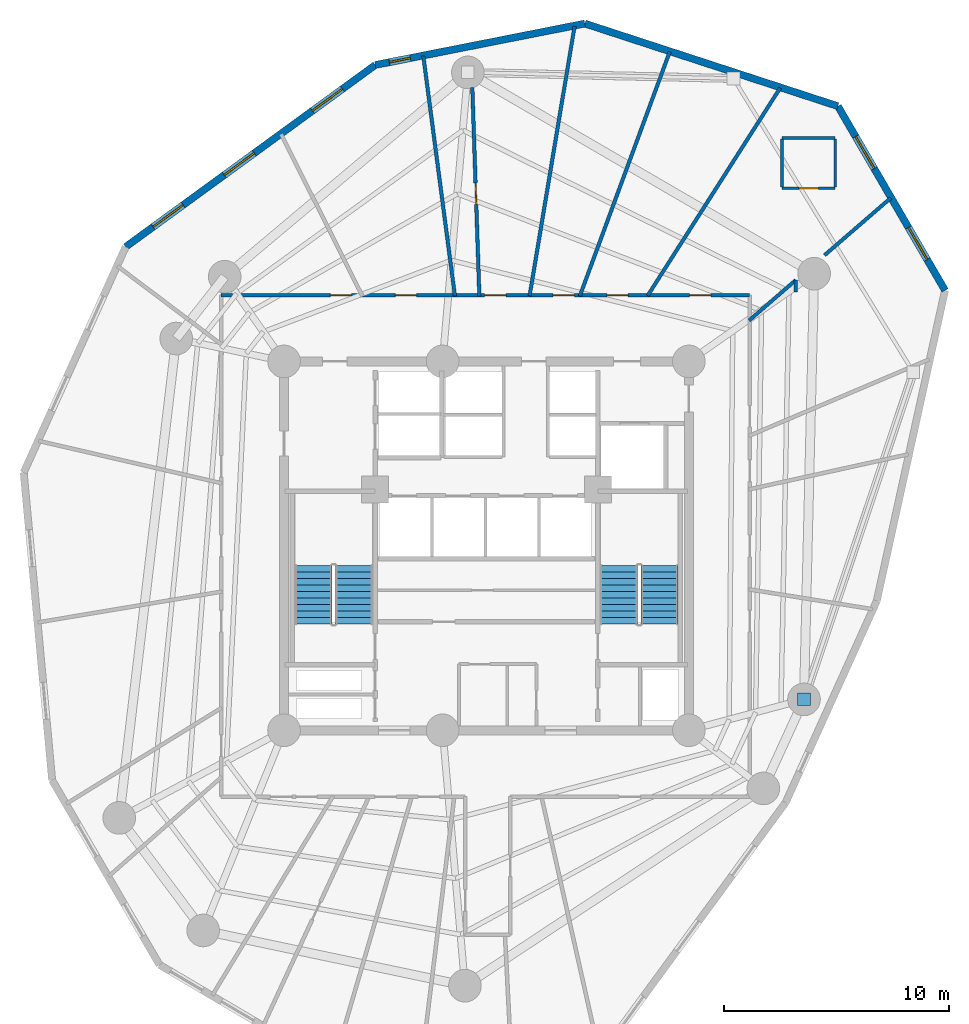
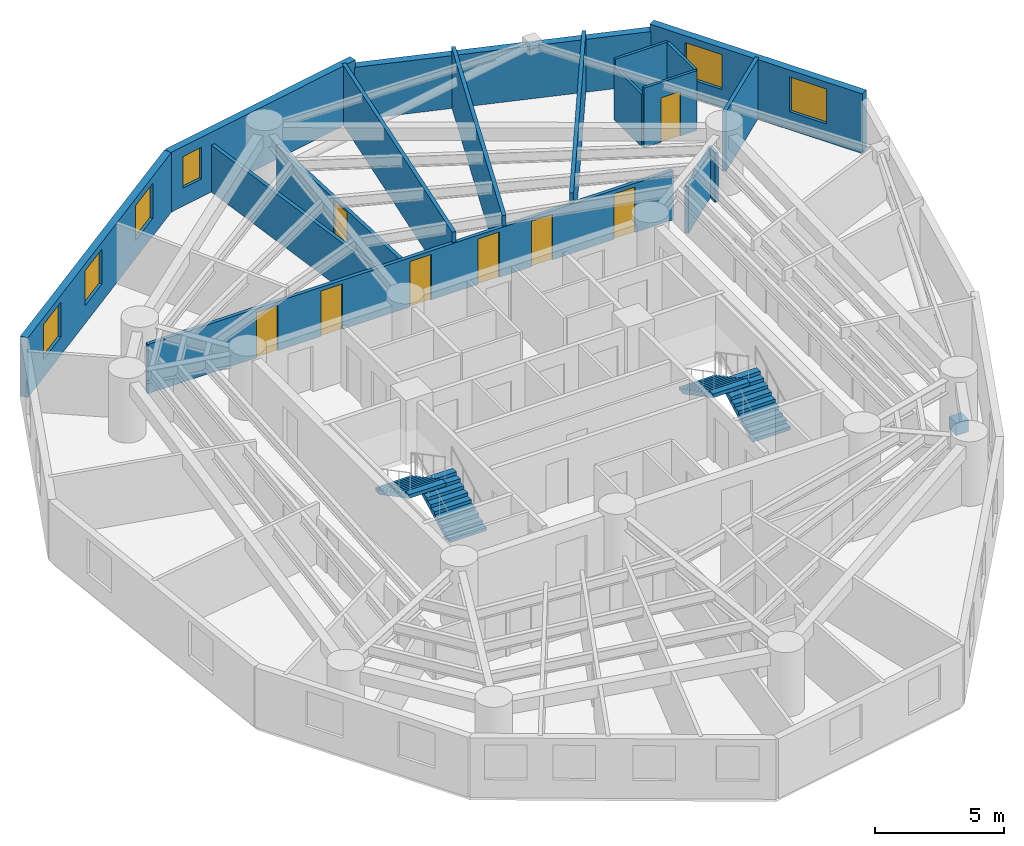
# One storey, part 6 of 8: 17 walls, 8 doors, 6 windows, 4 stair flights, 1 discrete accessory, 14 openings, 2 elements without a shape of their own.
"""IFC4 building model written with IfcOpenShell, lengths in metres."""

from ifc_helpers import new_model, si_unit, direction, frame, frame_2d, origin, origin_with_axes, origin_2d, place, context, subcontext, project, spatial, polyline, rectangle, outline, extrude, source, transform, mapped, material, layer, layer_set, type_object, element, fill, aggregate, save


model = new_model("IFC4")

# Units and contexts
model_context = context("Model", 3, precision=1e-05, world=origin(), true_north=direction((0.0, 1.0)))
body_context = subcontext(model_context, "Body", "Model", "MODEL_VIEW")
ifc_project = project(units=[si_unit("LENGTHUNIT", "METRE"), si_unit("AREAUNIT", "SQUARE_METRE"), si_unit("VOLUMEUNIT", "CUBIC_METRE"), si_unit("PLANEANGLEUNIT", "RADIAN"), si_unit("MASSUNIT", "GRAM", prefix="KILO")], contexts=[model_context])

# Site, building, storey
site_placement = place(None, origin())
site = spatial("IfcSite", under=ifc_project, at=site_placement, CompositionType="ELEMENT")
building_placement = place(site_placement, origin())
building = spatial("IfcBuilding", under=site, at=building_placement, Name="Karkom Vertical University and Central Library", CompositionType="ELEMENT")
storey_placement = place(building_placement, frame((0.0, 0.0, 126.699951171875)))
storey = spatial("IfcBuildingStorey", under=building, at=storey_placement, Name="L35", CompositionType="ELEMENT", Elevation=126.699951171875)

# Wall, openings, windows
ifc_material_1 = material(Name="Brick-faced precast concrete C45/55", Category="masonry")
ifc_layer_1 = layer(ifc_material_1, 0.320068359375)
ifc_layer_set_1 = layer_set([ifc_layer_1], Name="Brick-faced precast concrete C45/55")
wall_type_1 = type_object("IfcWallType", Name="ENV-WL-BRK-320", PredefinedType="SOLIDWALL", material=ifc_layer_set_1)
wall_1_placement = place(storey_placement, frame((48.894775390625, 37.857421875, 0.0), z_axis=(0.0, 0.0, 1.0), x_axis=(-0.502778471168, 0.864415298875, 0.0)))
wall_1 = element("IfcWall", 1, at=wall_1_placement, inside=storey, type_object=wall_type_1, Name="Level 35 Brick-Faced Precast Facade Wall 09", PredefinedType="SOLIDWALL", context=body_context, shape_type="SweptSolid", body=[
    extrude(rectangle(XDim=9.47900390625, YDim=0.320068359375, at=frame_2d((4.739501953125, 0.0))), origin(), (0.0, 0.0, 1.0), 2.824951171875),
])
opening_1_placement = place(wall_1_placement, frame((1.586181640625, 0.0, 0.85009765625)))
opening_1 = element("IfcOpeningElement", 2, at=opening_1_placement, cuts=wall_1, Name="Opening WN-06", PredefinedType="OPENING", context=body_context, shape_type="SweptSolid", body=[
    extrude(rectangle(XDim=1.64990234375, YDim=1.64990234375, at=frame_2d((0.824951171875, 0.824951171875))), frame((0.0, 0.169921875, 0.0), z_axis=(0.0, -1.0, 0.0), x_axis=(1.0, 0.0, 0.0)), (0.0, 0.0, 1.0), 0.340087890625),
])
opening_2_placement = place(wall_1_placement, frame((6.265625, 0.0, 0.85009765625)))
opening_2 = element("IfcOpeningElement", 3, at=opening_2_placement, cuts=wall_1, Name="Opening WN-06", PredefinedType="OPENING", context=body_context, shape_type="SweptSolid", body=[
    extrude(rectangle(XDim=1.64990234375, YDim=1.64990234375, at=frame_2d((0.824951171875, 0.824951171875))), frame((0.0, 0.169921875, 0.0), z_axis=(0.0, -1.0, 0.0), x_axis=(1.0, 0.0, 0.0)), (0.0, 0.0, 1.0), 0.340087890625),
])
ifc_material_2 = material(Name="Aluminium thermal-break frame with solar-control IGU", Category="aluminium")
window_type_1 = type_object("IfcWindowType", Name="ENV-WIN-WN-06", PartitioningType="SINGLE_PANEL", PredefinedType="WINDOW", material=ifc_material_2)
shared_shape_1 = source(origin_with_axes(), body_context, "Body", "SweptSolid", [
    extrude(rectangle(XDim=1.64990234375, YDim=1.64990234375, at=frame_2d((0.824951171875, 0.824951171875))), frame((0.0, 0.030029296875, 0.0), z_axis=(0.0, -1.0, 0.0), x_axis=(1.0, 0.0, 0.0)), (0.0, 0.0, 1.0), 0.06005859375),
])
window_1_placement = place(opening_1_placement, origin())
window_1 = element("IfcWindow", 4, at=window_1_placement, inside=storey, type_object=window_type_1, Name="Level 35 Punched Window 9.1", OverallHeight=1.64990234375, OverallWidth=1.64990234375, PartitioningType="SINGLE_PANEL", PredefinedType="WINDOW", context=body_context, shape_type="MappedRepresentation", body=[
    mapped(shared_shape_1, transform((0.0, 0.0, 0.0), scale=1.0)),
])
fill(opening_1, window_1)
window_2_placement = place(opening_2_placement, origin())
window_2 = element("IfcWindow", 5, at=window_2_placement, inside=storey, type_object=window_type_1, Name="Level 35 Punched Window 9.2", OverallHeight=1.64990234375, OverallWidth=1.64990234375, PartitioningType="SINGLE_PANEL", PredefinedType="WINDOW", context=body_context, shape_type="MappedRepresentation", body=[
    mapped(shared_shape_1, transform((0.0, 0.0, 0.0), scale=1.0)),
])
fill(opening_2, window_2)

# Wall
wall_2_placement = place(storey_placement, frame((44.12890625, 46.05126953125, 0.0), z_axis=(0.0, 0.0, 1.0), x_axis=(-0.950636500085, 0.310306694587, 0.0)))
element("IfcWall", 6, at=wall_2_placement, inside=storey, type_object=wall_type_1, Name="Level 35 Brick-Faced Precast Facade Wall 10", PredefinedType="SOLIDWALL", context=body_context, shape_type="SweptSolid", body=[
    extrude(rectangle(XDim=11.837890625, YDim=0.320068359375, at=frame_2d((5.9189453125, 0.0))), origin(), (0.0, 0.0, 1.0), 2.4951171875),
])

# Wall, opening, window
wall_3_placement = place(storey_placement, frame((32.87548828125, 49.724609375, 0.0), z_axis=(0.0, 0.0, 1.0), x_axis=(-0.981028839797, -0.193861846391, 0.0)))
wall_3 = element("IfcWall", 7, at=wall_3_placement, inside=storey, type_object=wall_type_1, Name="Level 35 Brick-Faced Precast Facade Wall 11", PredefinedType="SOLIDWALL", context=body_context, shape_type="SweptSolid", body=[
    extrude(rectangle(XDim=9.499267578125, YDim=0.320068359375, at=frame_2d((4.74951171875, 0.0))), origin(), (0.0, 0.0, 1.0), 2.824951171875),
])
opening_3_placement = place(wall_3_placement, frame((7.908935546875, 0.0, 0.85009765625)))
opening_3 = element("IfcOpeningElement", 8, at=opening_3_placement, cuts=wall_3, Name="Opening WN-12", PredefinedType="OPENING", context=body_context, shape_type="SweptSolid", body=[
    extrude(rectangle(XDim=0.949951171875, YDim=1.5, at=frame_2d((0.47509765625, 0.75))), frame((0.0, 0.169921875, 0.0), z_axis=(0.0, -1.0, 0.0), x_axis=(1.0, 0.0, 0.0)), (0.0, 0.0, 1.0), 0.340087890625),
])
window_type_2 = type_object("IfcWindowType", Name="ENV-WIN-WN-12", PartitioningType="SINGLE_PANEL", PredefinedType="WINDOW", material=ifc_material_2)
shared_shape_2 = source(origin_with_axes(), body_context, "Body", "SweptSolid", [
    extrude(rectangle(XDim=0.949951171875, YDim=1.5, at=frame_2d((0.47509765625, 0.75))), frame((0.0, 0.030029296875, 0.0), z_axis=(0.0, -1.0, 0.0), x_axis=(1.0, 0.0, 0.0)), (0.0, 0.0, 1.0), 0.06005859375),
])
window_3_placement = place(opening_3_placement, origin())
window_3 = element("IfcWindow", 9, at=window_3_placement, inside=storey, type_object=window_type_2, Name="Level 35 Punched Window 11.1", OverallHeight=1.5, OverallWidth=0.949951171875, PartitioningType="SINGLE_PANEL", PredefinedType="WINDOW", context=body_context, shape_type="MappedRepresentation", body=[
    mapped(shared_shape_2, transform((0.0, 0.0, 0.0), scale=1.0)),
])
fill(opening_3, window_3)

# Wall, openings, windows
wall_4_placement = place(storey_placement, frame((23.556396484375, 47.883056640625, 0.0), z_axis=(0.0, 0.0, 1.0), x_axis=(-0.808218614435, -0.588882561536, 0.0)))
wall_4 = element("IfcWall", 10, at=wall_4_placement, inside=storey, type_object=wall_type_1, Name="Level 35 Brick-Faced Precast Facade Wall 12", PredefinedType="SOLIDWALL", context=body_context, shape_type="SweptSolid", body=[
    extrude(rectangle(XDim=13.73876953125, YDim=0.320068359375, at=frame_2d((6.869384765625, 0.0))), origin(), (0.0, 0.0, 1.0), 2.824951171875),
])
opening_4_placement = place(wall_4_placement, frame((1.8076171875, 0.0, 0.85009765625)))
opening_4 = element("IfcOpeningElement", 11, at=opening_4_placement, cuts=wall_4, Name="Opening WN-06", PredefinedType="OPENING", context=body_context, shape_type="SweptSolid", body=[
    extrude(rectangle(XDim=1.64990234375, YDim=1.64990234375, at=frame_2d((0.824951171875, 0.824951171875))), frame((0.0, 0.169921875, 0.0), z_axis=(0.0, -1.0, 0.0), x_axis=(1.0, 0.0, 0.0)), (0.0, 0.0, 1.0), 0.340087890625),
])
opening_5_placement = place(wall_4_placement, frame((6.65869140625, 0.0, 0.85009765625)))
opening_5 = element("IfcOpeningElement", 12, at=opening_5_placement, cuts=wall_4, Name="Opening WN-06", PredefinedType="OPENING", context=body_context, shape_type="SweptSolid", body=[
    extrude(rectangle(XDim=1.64990234375, YDim=1.64990234375, at=frame_2d((0.824951171875, 0.824951171875))), frame((0.0, 0.169921875, 0.0), z_axis=(0.0, -1.0, 0.0), x_axis=(1.0, 0.0, 0.0)), (0.0, 0.0, 1.0), 0.340087890625),
])
opening_6_placement = place(wall_4_placement, frame((10.575439453125, 0.0, 0.85009765625)))
opening_6 = element("IfcOpeningElement", 13, at=opening_6_placement, cuts=wall_4, Name="Opening WN-06", PredefinedType="OPENING", context=body_context, shape_type="SweptSolid", body=[
    extrude(rectangle(XDim=1.64990234375, YDim=1.64990234375, at=frame_2d((0.824951171875, 0.824951171875))), frame((0.0, 0.169921875, 0.0), z_axis=(0.0, -1.0, 0.0), x_axis=(1.0, 0.0, 0.0)), (0.0, 0.0, 1.0), 0.340087890625),
])
window_4_placement = place(opening_4_placement, origin())
window_4 = element("IfcWindow", 14, at=window_4_placement, inside=storey, type_object=window_type_1, Name="Level 35 Punched Window 12.1", OverallHeight=1.64990234375, OverallWidth=1.64990234375, PartitioningType="SINGLE_PANEL", PredefinedType="WINDOW", context=body_context, shape_type="MappedRepresentation", body=[
    mapped(shared_shape_1, transform((0.0, 0.0, 0.0), scale=1.0)),
])
fill(opening_4, window_4)
window_5_placement = place(opening_5_placement, origin())
window_5 = element("IfcWindow", 15, at=window_5_placement, inside=storey, type_object=window_type_1, Name="Level 35 Punched Window 12.2", OverallHeight=1.64990234375, OverallWidth=1.64990234375, PartitioningType="SINGLE_PANEL", PredefinedType="WINDOW", context=body_context, shape_type="MappedRepresentation", body=[
    mapped(shared_shape_1, transform((0.0, 0.0, 0.0), scale=1.0)),
])
fill(opening_5, window_5)
window_6_placement = place(opening_6_placement, origin())
window_6 = element("IfcWindow", 16, at=window_6_placement, inside=storey, type_object=window_type_1, Name="Level 35 Punched Window 12.3", OverallHeight=1.64990234375, OverallWidth=1.64990234375, PartitioningType="SINGLE_PANEL", PredefinedType="WINDOW", context=body_context, shape_type="MappedRepresentation", body=[
    mapped(shared_shape_1, transform((0.0, 0.0, 0.0), scale=1.0)),
])
fill(opening_6, window_6)

# Wall, openings, doors
ifc_material_3 = material(Name="Insulated metal-stud drywall 160mm", Category="gypsum")
ifc_layer_2 = layer(ifc_material_3, 0.159912109375)
ifc_layer_set_2 = layer_set([ifc_layer_2], Name="Insulated metal-stud drywall 160mm")
wall_type_2 = type_object("IfcWallType", Name="INT-WL-COR-160", PredefinedType="PARTITIONING", material=ifc_layer_set_2)
wall_5_placement = place(storey_placement, frame((16.699951171875, 37.64990234375, 0.0), z_axis=(0.0, 0.0, 1.0), x_axis=(1.0, 0.0, 0.0)))
wall_5 = element("IfcWall", 17, at=wall_5_placement, inside=storey, type_object=wall_type_2, Name="Level 35 Interior Partition Wall L35-CORW-CW-003", PredefinedType="PARTITIONING", context=body_context, shape_type="SweptSolid", body=[
    extrude(rectangle(XDim=23.5, YDim=0.159912109375, at=frame_2d((11.75, 0.0))), origin(), (0.0, 0.0, 1.0), 2.324951171875),
])
opening_7_placement = place(wall_5_placement, frame((20.832763671875, 0.0, 0.0)))
opening_7 = element("IfcOpeningElement", 18, at=opening_7_placement, cuts=wall_5, Name="Opening D-RM1", PredefinedType="OPENING", context=body_context, shape_type="SweptSolid", body=[
    extrude(rectangle(XDim=0.949951171875, YDim=2.14990234375, at=frame_2d((0.47509765625, 1.074951171875))), frame((0.0, 0.08984375, 0.0), z_axis=(0.0, -1.0, 0.0), x_axis=(1.0, 0.0, 0.0)), (0.0, 0.0, 1.0), 0.179931640625),
])
opening_8_placement = place(wall_5_placement, frame((17.14990234375, 0.0, 0.0)))
opening_8 = element("IfcOpeningElement", 19, at=opening_8_placement, cuts=wall_5, Name="Opening D-RM1", PredefinedType="OPENING", context=body_context, shape_type="SweptSolid", body=[
    extrude(rectangle(XDim=0.949951171875, YDim=2.14990234375, at=frame_2d((0.47509765625, 1.074951171875))), frame((0.0, 0.08984375, 0.0), z_axis=(0.0, -1.0, 0.0), x_axis=(1.0, 0.0, 0.0)), (0.0, 0.0, 1.0), 0.179931640625),
])
opening_9_placement = place(wall_5_placement, frame((14.760009765625, 0.0, 0.0)))
opening_9 = element("IfcOpeningElement", 20, at=opening_9_placement, cuts=wall_5, Name="Opening D-RM1", PredefinedType="OPENING", context=body_context, shape_type="SweptSolid", body=[
    extrude(rectangle(XDim=0.949951171875, YDim=2.14990234375, at=frame_2d((0.47509765625, 1.074951171875))), frame((0.0, 0.08984375, 0.0), z_axis=(0.0, -1.0, 0.0), x_axis=(1.0, 0.0, 0.0)), (0.0, 0.0, 1.0), 0.179931640625),
])
opening_10_placement = place(wall_5_placement, frame((11.715087890625, 0.0, 0.0)))
opening_10 = element("IfcOpeningElement", 21, at=opening_10_placement, cuts=wall_5, Name="Opening FD-RM2", PredefinedType="OPENING", context=body_context, shape_type="SweptSolid", body=[
    extrude(rectangle(XDim=0.9599609375, YDim=2.14990234375, at=frame_2d((0.47998046875, 1.074951171875))), frame((0.0, 0.08984375, 0.0), z_axis=(0.0, -1.0, 0.0), x_axis=(1.0, 0.0, 0.0)), (0.0, 0.0, 1.0), 0.179931640625),
])
opening_11_placement = place(wall_5_placement, frame((7.75, 0.0, 0.0)))
opening_11 = element("IfcOpeningElement", 22, at=opening_11_placement, cuts=wall_5, Name="Opening D-RM1", PredefinedType="OPENING", context=body_context, shape_type="SweptSolid", body=[
    extrude(rectangle(XDim=0.949951171875, YDim=2.14990234375, at=frame_2d((0.47509765625, 1.074951171875))), frame((0.0, 0.08984375, 0.0), z_axis=(0.0, -1.0, 0.0), x_axis=(1.0, 0.0, 0.0)), (0.0, 0.0, 1.0), 0.179931640625),
])
opening_12_placement = place(wall_5_placement, frame((4.860107421875, 0.0, 0.0)))
opening_12 = element("IfcOpeningElement", 23, at=opening_12_placement, cuts=wall_5, Name="Opening D-RM1", PredefinedType="OPENING", context=body_context, shape_type="SweptSolid", body=[
    extrude(rectangle(XDim=0.949951171875, YDim=2.14990234375, at=frame_2d((0.47509765625, 1.074951171875))), frame((0.0, 0.08984375, 0.0), z_axis=(0.0, -1.0, 0.0), x_axis=(1.0, 0.0, 0.0)), (0.0, 0.0, 1.0), 0.179931640625),
])
ifc_material_4 = material(Name="Fire-rated oak veneer door", Category="wood")
door_type_1 = type_object("IfcDoorType", Name="INT-DR-FRM2", OperationType="NOTDEFINED", PredefinedType="DOOR", material=ifc_material_4)
shared_shape_3 = source(origin_with_axes(), body_context, "Body", "SweptSolid", [
    extrude(rectangle(XDim=0.9599609375, YDim=2.14990234375, at=frame_2d((0.47998046875, 1.074951171875))), frame((0.0, 0.02490234375, 0.0), z_axis=(0.0, -1.0, 0.0), x_axis=(1.0, 0.0, 0.0)), (0.0, 0.0, 1.0), 0.050048828125),
])
door_1_placement = place(opening_10_placement, origin())
door_1 = element("IfcDoor", 24, at=door_1_placement, inside=storey, type_object=door_type_1, Name="Level 35 Room Entry Door 160", OperationType="SINGLE_SWING_RIGHT", OverallHeight=2.14990234375, OverallWidth=0.9599609375, PredefinedType="DOOR", context=body_context, shape_type="MappedRepresentation", body=[
    mapped(shared_shape_3, transform((0.0, 0.0, 0.0), scale=1.0)),
])
fill(opening_10, door_1)
ifc_material_5 = material(Name="Solid-core oak veneer door", Category="wood")
door_type_2 = type_object("IfcDoorType", Name="INT-DR-RM1", OperationType="NOTDEFINED", PredefinedType="DOOR", material=ifc_material_5)
shared_shape_4 = source(origin_with_axes(), body_context, "Body", "SweptSolid", [
    extrude(rectangle(XDim=0.949951171875, YDim=2.14990234375, at=frame_2d((0.47509765625, 1.074951171875))), frame((0.0, 0.02490234375, 0.0), z_axis=(0.0, -1.0, 0.0), x_axis=(1.0, 0.0, 0.0)), (0.0, 0.0, 1.0), 0.050048828125),
])
door_2_placement = place(opening_7_placement, origin())
door_2 = element("IfcDoor", 25, at=door_2_placement, inside=storey, type_object=door_type_2, Name="Level 35 Room Entry Door 130", OperationType="SINGLE_SWING_LEFT", OverallHeight=2.14990234375, OverallWidth=0.949951171875, PredefinedType="DOOR", context=body_context, shape_type="MappedRepresentation", body=[
    mapped(shared_shape_4, transform((0.0, 0.0, 0.0), scale=1.0)),
])
fill(opening_7, door_2)
door_3_placement = place(opening_8_placement, origin())
door_3 = element("IfcDoor", 26, at=door_3_placement, inside=storey, type_object=door_type_2, Name="Level 35 Room Entry Door 140", OperationType="SINGLE_SWING_RIGHT", OverallHeight=2.14990234375, OverallWidth=0.949951171875, PredefinedType="DOOR", context=body_context, shape_type="MappedRepresentation", body=[
    mapped(shared_shape_4, transform((0.0, 0.0, 0.0), scale=1.0)),
])
fill(opening_8, door_3)
door_4_placement = place(opening_9_placement, origin())
door_4 = element("IfcDoor", 27, at=door_4_placement, inside=storey, type_object=door_type_2, Name="Level 35 Room Entry Door 150", OperationType="SINGLE_SWING_LEFT", OverallHeight=2.14990234375, OverallWidth=0.949951171875, PredefinedType="DOOR", context=body_context, shape_type="MappedRepresentation", body=[
    mapped(shared_shape_4, transform((0.0, 0.0, 0.0), scale=1.0)),
])
fill(opening_9, door_4)
door_5_placement = place(opening_11_placement, origin())
door_5 = element("IfcDoor", 28, at=door_5_placement, inside=storey, type_object=door_type_2, Name="Level 35 Room Entry Door 180", OperationType="SINGLE_SWING_LEFT", OverallHeight=2.14990234375, OverallWidth=0.949951171875, PredefinedType="DOOR", context=body_context, shape_type="MappedRepresentation", body=[
    mapped(shared_shape_4, transform((0.0, 0.0, 0.0), scale=1.0)),
])
fill(opening_11, door_5)
door_6_placement = place(opening_12_placement, origin())
door_6 = element("IfcDoor", 29, at=door_6_placement, inside=storey, type_object=door_type_2, Name="Level 35 Room Entry Door 190", OperationType="SINGLE_SWING_RIGHT", OverallHeight=2.14990234375, OverallWidth=0.949951171875, PredefinedType="DOOR", context=body_context, shape_type="MappedRepresentation", body=[
    mapped(shared_shape_4, transform((0.0, 0.0, 0.0), scale=1.0)),
])
fill(opening_12, door_6)

# Walls
wall_6_placement = place(storey_placement, frame((30.41796875, 37.620361328125, 0.0), z_axis=(0.0, 0.0, 1.0), x_axis=(0.164708531693, 0.986342283179, 0.0)))
element("IfcWall", 30, at=wall_6_placement, inside=storey, type_object=wall_type_2, Name="Level 35 Interior Partition Wall L35-PW-018", PredefinedType="PARTITIONING", context=body_context, shape_type="SweptSolid", body=[
    extrude(rectangle(XDim=12.150146484375, YDim=0.159912109375, at=frame_2d((6.0751953125, 0.0))), origin(), (0.0, 0.0, 1.0), 2.824951171875),
])
wall_7_placement = place(storey_placement, frame((32.65185546875, 37.607666015625, 0.0), z_axis=(0.0, 0.0, 1.0), x_axis=(0.34537094209, 0.938466255312, 0.0)))
element("IfcWall", 31, at=wall_7_placement, inside=storey, type_object=wall_type_2, Name="Level 35 Interior Partition Wall L35-PW-017", PredefinedType="PARTITIONING", context=body_context, shape_type="SweptSolid", body=[
    extrude(rectangle(XDim=11.571044921875, YDim=0.159912109375, at=frame_2d((5.78564453125, 0.0))), origin(), (0.0, 0.0, 1.0), 2.824951171875),
])
wall_8_placement = place(storey_placement, frame((35.66845703125, 37.624755859375, 0.0), z_axis=(0.0, 0.0, 1.0), x_axis=(0.537828256319, 0.843054426893, 0.0)))
element("IfcWall", 32, at=wall_8_placement, inside=storey, type_object=wall_type_2, Name="Level 35 Interior Partition Wall L35-PW-016", PredefinedType="PARTITIONING", context=body_context, shape_type="SweptSolid", body=[
    extrude(rectangle(XDim=10.955810546875, YDim=0.159912109375, at=frame_2d((5.47802734375, 0.0))), origin(), (0.0, 0.0, 1.0), 2.824951171875),
])
wall_9_placement = place(storey_placement, frame((27.098388671875, 37.60546875, 0.0), z_axis=(0.0, 0.0, 1.0), x_axis=(-0.13052372921, 0.991445185632, 0.0)))
element("IfcWall", 33, at=wall_9_placement, inside=storey, type_object=wall_type_2, Name="Level 35 Interior Partition Wall L35-PW-021", PredefinedType="PARTITIONING", context=body_context, shape_type="SweptSolid", body=[
    extrude(rectangle(XDim=10.766357421875, YDim=0.159912109375, at=frame_2d((5.38330078125, 0.0))), origin(), (0.0, 0.0, 1.0), 2.22509765625),
])

# Wall, opening, door
wall_10_placement = place(storey_placement, frame((28.184814453125, 37.60498046875, 0.0), z_axis=(0.0, 0.0, 1.0), x_axis=(-0.033746932486, 0.999430410058, 0.0)))
wall_10 = element("IfcWall", 34, at=wall_10_placement, inside=storey, type_object=wall_type_2, Name="Level 35 Interior Partition Wall L35-PW-020", PredefinedType="PARTITIONING", context=body_context, shape_type="SweptSolid", body=[
    extrude(rectangle(XDim=9.274658203125, YDim=0.159912109375, at=frame_2d((4.63720703125, 0.0))), origin(), (0.0, 0.0, 1.0), 2.22509765625),
])
opening_13_placement = place(wall_10_placement, frame((4.0830078125, 0.0, 0.0)))
opening_13 = element("IfcOpeningElement", 35, at=opening_13_placement, cuts=wall_10, Name="Opening FD-RM2", PredefinedType="OPENING", context=body_context, shape_type="SweptSolid", body=[
    extrude(rectangle(XDim=0.9599609375, YDim=2.14990234375, at=frame_2d((0.47998046875, 1.074951171875))), frame((0.0, 0.08984375, 0.0), z_axis=(0.0, -1.0, 0.0), x_axis=(1.0, 0.0, 0.0)), (0.0, 0.0, 1.0), 0.179931640625),
])
door_7_placement = place(opening_13_placement, origin())
door_7 = element("IfcDoor", 36, at=door_7_placement, inside=storey, type_object=door_type_1, Name="Level 35 Room Entry Door 170", OperationType="SINGLE_SWING_LEFT", OverallHeight=2.14990234375, OverallWidth=0.9599609375, PredefinedType="DOOR", context=body_context, shape_type="MappedRepresentation", body=[
    mapped(shared_shape_3, transform((0.0, 0.0, 0.0), scale=1.0)),
])
fill(opening_13, door_7)

# Walls
wall_11_placement = place(storey_placement, frame((43.5302734375, 39.419921875, 0.0), z_axis=(0.0, 0.0, 1.0), x_axis=(0.756340528627, 0.654178113939, 0.0)))
element("IfcWall", 37, at=wall_11_placement, inside=storey, type_object=wall_type_2, Name="Level 35 Interior Partition Wall L35-PW-015", PredefinedType="PARTITIONING", context=body_context, shape_type="SweptSolid", body=[
    extrude(rectangle(XDim=3.892822265625, YDim=0.159912109375, at=frame_2d((1.9462890625, 0.0))), origin(), (0.0, 0.0, 1.0), 2.824951171875),
])
wall_12_placement = place(storey_placement, frame((40.17724609375, 36.52001953125, 0.0), z_axis=(0.0, 0.0, 1.0), x_axis=(0.756350067961, 0.654167084692, 0.0)))
element("IfcWall", 38, at=wall_12_placement, inside=storey, type_object=wall_type_2, Name="Level 35 Interior Partition Wall L35-PW-013", PredefinedType="PARTITIONING", context=body_context, shape_type="SweptSolid", body=[
    extrude(rectangle(XDim=2.740478515625, YDim=0.159912109375, at=frame_2d((1.3701171875, 0.0))), origin(), (0.0, 0.0, 1.0), 2.22509765625),
])
wall_13_placement = place(storey_placement, frame((42.25, 38.312744140625, 0.0), z_axis=(0.0, 0.0, 1.0), x_axis=(0.0, -1.0, 0.0)))
element("IfcWall", 39, at=wall_13_placement, inside=storey, type_object=wall_type_2, Name="Level 35 Interior Partition Wall L35-PW-014", PredefinedType="PARTITIONING", context=body_context, shape_type="SweptSolid", body=[
    extrude(rectangle(XDim=0.53271484375, YDim=0.159912109375, at=frame_2d((0.266357421875, 0.0))), origin(), (0.0, 0.0, 1.0), 2.324951171875),
])

# Wall, opening, door
ifc_material_6 = material(Name="Moisture-resistant drywall 120mm", Category="gypsum")
ifc_layer_3 = layer(ifc_material_6, 0.1201171875)
ifc_layer_set_3 = layer_set([ifc_layer_3], Name="Moisture-resistant drywall 120mm")
wall_type_3 = type_object("IfcWallType", Name="INT-WL-INT-120F", PredefinedType="PARTITIONING", material=ifc_layer_set_3)
wall_14_placement = place(storey_placement, frame((41.64306640625, 42.39794921875, 0.0), z_axis=(0.0, 0.0, 1.0), x_axis=(1.0, 0.0, 0.0)))
wall_14 = element("IfcWall", 40, at=wall_14_placement, inside=storey, type_object=wall_type_3, Name="Level 35 Interior Partition Wall L35-ENS-83-S", PredefinedType="PARTITIONING", context=body_context, shape_type="SweptSolid", body=[
    extrude(rectangle(XDim=2.35986328125, YDim=0.1201171875, at=frame_2d((1.179931640625, 0.0))), origin(), (0.0, 0.0, 1.0), 2.824951171875),
])
opening_14_placement = place(wall_14_placement, frame((0.75, 0.0, 0.0)))
opening_14 = element("IfcOpeningElement", 41, at=opening_14_placement, cuts=wall_14, Name="Opening D-BATH", PredefinedType="OPENING", context=body_context, shape_type="SweptSolid", body=[
    extrude(rectangle(XDim=0.860107421875, YDim=2.10009765625, at=frame_2d((0.43017578125, 1.050048828125))), frame((0.0, 0.070068359375, 0.0), z_axis=(0.0, -1.0, 0.0), x_axis=(1.0, 0.0, 0.0)), (0.0, 0.0, 1.0), 0.14013671875),
])
ifc_material_7 = material(Name="Moisture-resistant oak door", Category="wood")
door_type_3 = type_object("IfcDoorType", Name="INT-DR-BATH", OperationType="NOTDEFINED", PredefinedType="DOOR", material=ifc_material_7)
shared_shape_5 = source(origin_with_axes(), body_context, "Body", "SweptSolid", [
    extrude(rectangle(XDim=0.860107421875, YDim=2.10009765625, at=frame_2d((0.43017578125, 1.050048828125))), frame((0.0, 0.02490234375, 0.0), z_axis=(0.0, -1.0, 0.0), x_axis=(1.0, 0.0, 0.0)), (0.0, 0.0, 1.0), 0.050048828125),
])
door_8_placement = place(opening_14_placement, origin())
door_8 = element("IfcDoor", 42, at=door_8_placement, inside=storey, type_object=door_type_3, Name="Level 35 En-Suite Bathroom Door 83", OperationType="SINGLE_SWING_LEFT", OverallHeight=2.10009765625, OverallWidth=0.860107421875, PredefinedType="DOOR", context=body_context, shape_type="MappedRepresentation", body=[
    mapped(shared_shape_5, transform((0.0, 0.0, 0.0), scale=1.0)),
])
fill(opening_14, door_8)

# Walls
wall_15_placement = place(storey_placement, frame((44.0029296875, 44.637939453125, 0.0), z_axis=(0.0, 0.0, 1.0), x_axis=(-1.0, 0.0, 0.0)))
element("IfcWall", 43, at=wall_15_placement, inside=storey, type_object=wall_type_3, Name="Level 35 Interior Partition Wall L35-ENS-83-N", PredefinedType="PARTITIONING", context=body_context, shape_type="SweptSolid", body=[
    extrude(rectangle(XDim=2.35986328125, YDim=0.1201171875, at=frame_2d((1.179931640625, 0.0))), origin(), (0.0, 0.0, 1.0), 2.824951171875),
])
wall_16_placement = place(storey_placement, frame((44.0029296875, 42.447998046875, 0.0), z_axis=(0.0, 0.0, 1.0), x_axis=(0.0, 1.0, 0.0)))
element("IfcWall", 44, at=wall_16_placement, inside=storey, type_object=wall_type_3, Name="Level 35 Interior Partition Wall L35-ENS-83-E", PredefinedType="PARTITIONING", context=body_context, shape_type="SweptSolid", body=[
    extrude(rectangle(XDim=2.139892578125, YDim=0.1201171875, at=frame_2d((1.06982421875, 0.0))), origin(), (0.0, 0.0, 1.0), 2.824951171875),
])
wall_17_placement = place(storey_placement, frame((41.64306640625, 44.587890625, 0.0), z_axis=(0.0, 0.0, 1.0), x_axis=(0.0, -1.0, 0.0)))
element("IfcWall", 45, at=wall_17_placement, inside=storey, type_object=wall_type_3, Name="Level 35 Interior Partition Wall L35-ENS-83-W", PredefinedType="PARTITIONING", context=body_context, shape_type="SweptSolid", body=[
    extrude(rectangle(XDim=2.139892578125, YDim=0.1201171875, at=frame_2d((1.06982421875, 0.0))), origin(), (0.0, 0.0, 1.0), 2.4951171875),
])

# Stair, stair flights
ifc_material_8 = material(Name="Concrete C45/55", Category="concrete")
stair_type = type_object("IfcStairType", Name="INT-STR-ST-MAIN", PredefinedType="HALF_TURN_STAIR", material=ifc_material_8)
stair_1_placement = place(storey_placement, origin())
stair_1 = element("IfcStair", 46, at=stair_1_placement, inside=storey, type_object=stair_type, Name="Level 35 Tower Protected Exit Stair ST-1", PredefinedType="HALF_TURN_STAIR")
stair_flight_type = type_object("IfcStairFlightType", Name="INT-SFL-ST-MAIN", PredefinedType="STRAIGHT", material=ifc_material_8)
stair_flight_1_placement = place(storey_placement, frame((22.614990234375, 23.02001953125, 0.0), z_axis=(0.0, 0.0, 1.0), x_axis=(0.0, 1.0, 0.0)))
stair_flight_1 = element("IfcStairFlight", 47, at=stair_flight_1_placement, type_object=stair_flight_type, Name="ST-1 flight 1", NumberOfRisers=10, NumberOfTreads=9, PredefinedType="STRAIGHT", RiserHeight=0.1525, TreadLength=0.29, context=body_context, shape_type="SweptSolid", body=[
    extrude(outline(polyline([(0.0, 0.0), (0.0, 0.152587890625), (0.2900390625, 0.152587890625), (0.2900390625, 0.304931640625), (0.580078125, 0.304931640625), (0.580078125, 0.45751953125), (0.8701171875, 0.45751953125), (0.8701171875, 0.610107421875), (1.159912109375, 0.610107421875), (1.159912109375, 0.762451171875), (1.449951171875, 0.762451171875), (1.449951171875, 0.9150390625), (1.739990234375, 0.9150390625), (1.739990234375, 1.0673828125), (2.030029296875, 1.0673828125), (2.030029296875, 1.219970703125), (2.320068359375, 1.219970703125), (2.320068359375, 1.37255859375), (2.610107421875, 1.37255859375), (2.610107421875, 1.52490234375), (2.610107421875, 1.203125), (0.322021484375, 0.0), (0.0, 0.0)])), frame((0.0, 0.824951171875, 0.0), z_axis=(0.0, -1.0, 0.0), x_axis=(1.0, 0.0, 0.0)), (0.0, 0.0, 1.0), 1.64990234375),
])
stair_flight_2_placement = place(storey_placement, frame((20.804931640625, 25.6298828125, 1.525146484375), z_axis=(0.0, 0.0, 1.0), x_axis=(0.0, -1.0, 0.0)))
stair_flight_2 = element("IfcStairFlight", 48, at=stair_flight_2_placement, type_object=stair_flight_type, Name="ST-1 flight 2", NumberOfRisers=10, NumberOfTreads=9, PredefinedType="STRAIGHT", RiserHeight=0.1525, TreadLength=0.29, context=body_context, shape_type="SweptSolid", body=[
    extrude(outline(polyline([(0.0, 0.0), (0.0, 0.152587890625), (0.2900390625, 0.152587890625), (0.2900390625, 0.304931640625), (0.580078125, 0.304931640625), (0.580078125, 0.45751953125), (0.8701171875, 0.45751953125), (0.8701171875, 0.610107421875), (1.159912109375, 0.610107421875), (1.159912109375, 0.762451171875), (1.449951171875, 0.762451171875), (1.449951171875, 0.9150390625), (1.739990234375, 0.9150390625), (1.739990234375, 1.0673828125), (2.030029296875, 1.0673828125), (2.030029296875, 1.219970703125), (2.320068359375, 1.219970703125), (2.320068359375, 1.37255859375), (2.610107421875, 1.37255859375), (2.610107421875, 1.52490234375), (2.610107421875, 1.203125), (0.322021484375, 0.0), (0.0, 0.0)])), frame((0.0, 0.824951171875, 0.0), z_axis=(0.0, -1.0, 0.0), x_axis=(1.0, 0.0, 0.0)), (0.0, 0.0, 1.0), 1.64990234375),
])
aggregate(stair_1, [stair_flight_1, stair_flight_2])

stair_2_placement = place(storey_placement, origin())
stair_2 = element("IfcStair", 49, at=stair_2_placement, inside=storey, type_object=stair_type, Name="Level 35 Tower Protected Exit Stair ST-2", PredefinedType="HALF_TURN_STAIR")
stair_flight_3_placement = place(storey_placement, frame((36.195068359375, 23.02001953125, 0.0), z_axis=(0.0, 0.0, 1.0), x_axis=(0.0, 1.0, 0.0)))
stair_flight_3 = element("IfcStairFlight", 50, at=stair_flight_3_placement, type_object=stair_flight_type, Name="ST-2 flight 1", NumberOfRisers=10, NumberOfTreads=9, PredefinedType="STRAIGHT", RiserHeight=0.1525, TreadLength=0.29, context=body_context, shape_type="SweptSolid", body=[
    extrude(outline(polyline([(0.0, 0.0), (0.0, 0.152587890625), (0.2900390625, 0.152587890625), (0.2900390625, 0.304931640625), (0.580078125, 0.304931640625), (0.580078125, 0.45751953125), (0.8701171875, 0.45751953125), (0.8701171875, 0.610107421875), (1.159912109375, 0.610107421875), (1.159912109375, 0.762451171875), (1.449951171875, 0.762451171875), (1.449951171875, 0.9150390625), (1.739990234375, 0.9150390625), (1.739990234375, 1.0673828125), (2.030029296875, 1.0673828125), (2.030029296875, 1.219970703125), (2.320068359375, 1.219970703125), (2.320068359375, 1.37255859375), (2.610107421875, 1.37255859375), (2.610107421875, 1.52490234375), (2.610107421875, 1.203125), (0.322021484375, 0.0), (0.0, 0.0)])), frame((0.0, 0.824951171875, 0.0), z_axis=(0.0, -1.0, 0.0), x_axis=(1.0, 0.0, 0.0)), (0.0, 0.0, 1.0), 1.64990234375),
])
stair_flight_4_placement = place(storey_placement, frame((34.385009765625, 25.6298828125, 1.525146484375), z_axis=(0.0, 0.0, 1.0), x_axis=(0.0, -1.0, 0.0)))
stair_flight_4 = element("IfcStairFlight", 51, at=stair_flight_4_placement, type_object=stair_flight_type, Name="ST-2 flight 2", NumberOfRisers=10, NumberOfTreads=9, PredefinedType="STRAIGHT", RiserHeight=0.1525, TreadLength=0.29, context=body_context, shape_type="SweptSolid", body=[
    extrude(outline(polyline([(0.0, 0.0), (0.0, 0.152587890625), (0.2900390625, 0.152587890625), (0.2900390625, 0.304931640625), (0.580078125, 0.304931640625), (0.580078125, 0.45751953125), (0.8701171875, 0.45751953125), (0.8701171875, 0.610107421875), (1.159912109375, 0.610107421875), (1.159912109375, 0.762451171875), (1.449951171875, 0.762451171875), (1.449951171875, 0.9150390625), (1.739990234375, 0.9150390625), (1.739990234375, 1.0673828125), (2.030029296875, 1.0673828125), (2.030029296875, 1.219970703125), (2.320068359375, 1.219970703125), (2.320068359375, 1.37255859375), (2.610107421875, 1.37255859375), (2.610107421875, 1.52490234375), (2.610107421875, 1.203125), (0.322021484375, 0.0), (0.0, 0.0)])), frame((0.0, 0.824951171875, 0.0), z_axis=(0.0, -1.0, 0.0), x_axis=(1.0, 0.0, 0.0)), (0.0, 0.0, 1.0), 1.64990234375),
])
aggregate(stair_2, [stair_flight_3, stair_flight_4])

# Discrete accessory
ifc_material_9 = material(Name="Ductile cast iron EN-GJS-400-15", Category="metal")
discrete_accessory_type = type_object("IfcDiscreteAccessoryType", Name="STR-ACC-NODECAP", PredefinedType="BRACKET", material=ifc_material_9)
shared_shape_6 = source(origin_with_axes(), body_context, "Body", "SweptSolid", [
    extrude(rectangle(XDim=0.56005859375, YDim=0.56005859375, at=origin_2d()), origin(), (0.0, 0.0, 1.0), 0.580078125),
])
discrete_accessory_placement = place(storey_placement, frame((42.618896484375, 19.672119140625, 0.06005859375), z_axis=(0.0, 0.0, 1.0), x_axis=(1.0, 0.0, 0.0)))
element("IfcDiscreteAccessory", 52, at=discrete_accessory_placement, inside=storey, type_object=discrete_accessory_type, Name="Level 35 Cast Node Connector L35-SKG-KNEE-1 A", PredefinedType="BRACKET", context=body_context, shape_type="MappedRepresentation", body=[
    mapped(shared_shape_6, transform((0.0, 0.0, 0.0), scale=1.0)),
])

save(model, "model.ifc")
